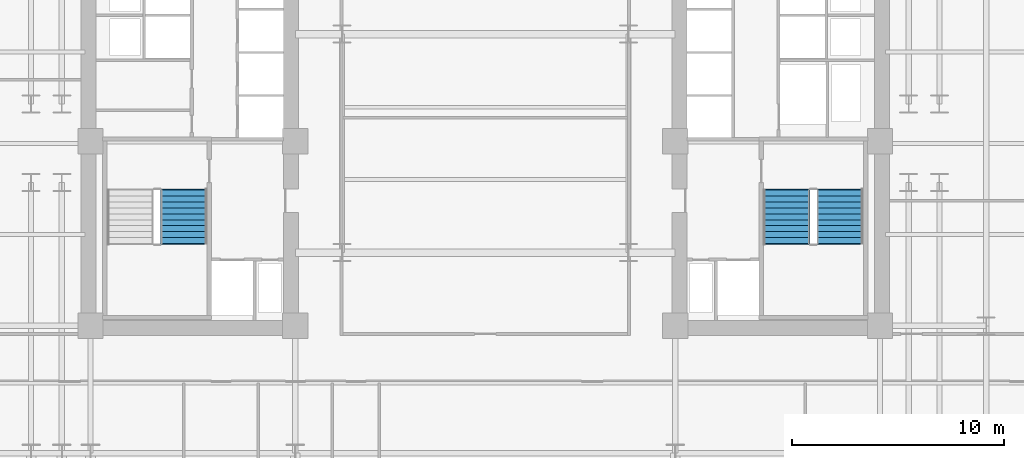
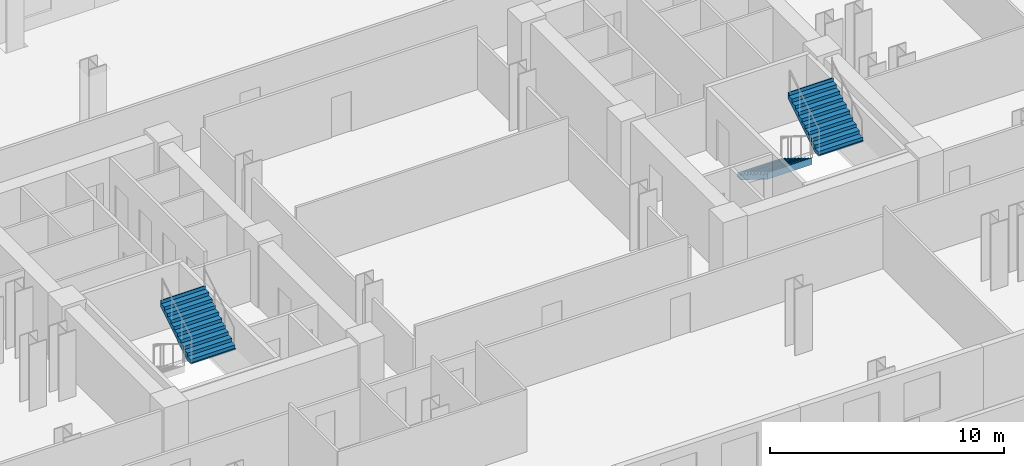
# One storey, part 8 of 10: 3 stair flights, 2 elements without a shape of their own.
"""IFC4 building model written with IfcOpenShell, lengths in metres."""

from ifc_helpers import new_model, si_unit, direction, frame, origin, place, context, subcontext, project, spatial, polyline, outline, extrude, material, layer, layer_set, type_object, element, aggregate, save


model = new_model("IFC4")

# Units and contexts
model_context = context("Model", 3, precision=1e-05, world=origin(), true_north=direction((0.0, 1.0)))
body_context = subcontext(model_context, "Body", "Model", "MODEL_VIEW")
ifc_project = project(units=[si_unit("LENGTHUNIT", "METRE"), si_unit("AREAUNIT", "SQUARE_METRE"), si_unit("VOLUMEUNIT", "CUBIC_METRE"), si_unit("PLANEANGLEUNIT", "RADIAN"), si_unit("MASSUNIT", "GRAM", prefix="KILO")], contexts=[model_context])

# Site, building, storey
site_placement = place(None, origin())
site = spatial("IfcSite", under=ifc_project, at=site_placement, CompositionType="ELEMENT")
building_placement = place(site_placement, origin())
building = spatial("IfcBuilding", under=site, at=building_placement, Name="Velakula Bourse", CompositionType="ELEMENT")
storey_placement = place(building_placement, frame((0.0, 0.0, 31.199951171875)))
storey = spatial("IfcBuildingStorey", under=building, at=storey_placement, Name="L07", CompositionType="ELEMENT", Elevation=31.199951171875)

# Stair, stair flight
ifc_material = material(Name="Concrete M45 (fck 45 MPa)", Category="concrete")
stair_type = type_object("IfcStairType", Name="STR-DOG-390", PredefinedType="HALF_TURN_STAIR", material=ifc_material)
stair_1_placement = place(storey_placement, origin())
stair_1 = element("IfcStair", 1, at=stair_1_placement, inside=storey, type_object=stair_type, Name="L07 West Core Exit Stair ST-W1", PredefinedType="HALF_TURN_STAIR")
ifc_layer = layer(ifc_material, 0.195068359375, Name="Concrete M45 (fck 45 MPa)", Category="concrete")
ifc_layer_set = layer_set([ifc_layer], Name="Concrete M45 (fck 45 MPa)")
stair_flight_type = type_object("IfcStairFlightType", Name="FLT-DOG-390", PredefinedType="STRAIGHT", material=ifc_layer_set)
stair_flight_1_placement = place(storey_placement, frame((-14.198974609375, -4.719970703125, 1.72509765625), z_axis=(0.0, 0.0, 1.0), x_axis=(0.0, 1.0, 0.0)))
stair_flight_1 = element("IfcStairFlight", 2, at=stair_flight_1_placement, type_object=stair_flight_type, Name="ST-W1 flight 2", NumberOfRisers=10, NumberOfTreads=9, PredefinedType="STRAIGHT", RiserHeight=0.1725, TreadLength=0.28, context=body_context, shape_type="SweptSolid", body=[
    extrude(outline(polyline([(-0.044921875, -0.0400390625), (-0.044921875, -0.036865234375), (-0.044921875, -0.033935546875), (-0.044921875, -0.03076171875), (-0.044921875, -0.027587890625), (-0.044921875, -0.024658203125), (-0.044921875, -0.021484375), (-0.044921875, -0.0185546875), (-0.044921875, -0.015380859375), (-0.044921875, -0.01220703125), (-0.044921875, -0.00927734375), (-0.044921875, -0.006103515625), (-0.044921875, -0.003173828125), (-0.044921875, 0.0), (0.0, 0.0), (0.0, 0.172607421875), (0.280029296875, 0.172607421875), (0.280029296875, 0.344970703125), (0.56005859375, 0.344970703125), (0.56005859375, 0.517578125), (0.840087890625, 0.517578125), (0.840087890625, 0.68994140625), (1.1201171875, 0.68994140625), (1.1201171875, 0.862548828125), (1.39990234375, 0.862548828125), (1.39990234375, 1.034912109375), (1.679931640625, 1.034912109375), (1.679931640625, 1.20751953125), (1.9599609375, 1.20751953125), (1.9599609375, 1.3798828125), (2.239990234375, 1.3798828125), (2.239990234375, 1.552490234375), (2.52001953125, 1.552490234375), (2.52001953125, 1.72509765625), (2.56494140625, 1.72509765625), (2.56494140625, 1.7001953125), (2.56494140625, 1.67529296875), (2.56494140625, 1.650390625), (2.56494140625, 1.62548828125), (2.56494140625, 1.6005859375), (2.56494140625, 1.57568359375), (2.56494140625, 1.55078125), (2.56494140625, 1.52587890625), (2.56494140625, 1.5009765625), (2.56494140625, 1.47607421875), (2.56494140625, 1.451171875), (2.56494140625, 1.42626953125), (2.56494140625, 1.4013671875), (2.56494140625, 1.37646484375), (0.285888671875, -0.0400390625), (-0.044921875, -0.0400390625)])), frame((0.0, 1.09912109375, 0.0), z_axis=(0.0, -1.0, 0.0), x_axis=(1.0, 0.0, 0.0)), (0.0, 0.0, 1.0), 2.197998046875),
])
aggregate(stair_1, [stair_flight_1])

# Stair, stair flights
stair_2_placement = place(storey_placement, origin())
stair_2 = element("IfcStair", 3, at=stair_2_placement, inside=storey, type_object=stair_type, Name="L07 East Core Exit Stair ST-E1", PredefinedType="HALF_TURN_STAIR")
stair_flight_2_placement = place(storey_placement, frame((14.198974609375, -2.199951171875, 0.0), z_axis=(0.0, 0.0, 1.0), x_axis=(0.0, -1.0, 0.0)))
stair_flight_2 = element("IfcStairFlight", 4, at=stair_flight_2_placement, type_object=stair_flight_type, Name="ST-E1 flight 1", NumberOfRisers=10, NumberOfTreads=9, PredefinedType="STRAIGHT", RiserHeight=0.1725, TreadLength=0.28, context=body_context, shape_type="SweptSolid", body=[
    extrude(outline(polyline([(-0.044921875, -0.0400390625), (-0.044921875, -0.036865234375), (-0.044921875, -0.033935546875), (-0.044921875, -0.03076171875), (-0.044921875, -0.027587890625), (-0.044921875, -0.024658203125), (-0.044921875, -0.021484375), (-0.044921875, -0.0185546875), (-0.044921875, -0.015380859375), (-0.044921875, -0.01220703125), (-0.044921875, -0.00927734375), (-0.044921875, -0.006103515625), (-0.044921875, -0.003173828125), (-0.044921875, 0.0), (0.0, 0.0), (0.0, 0.172607421875), (0.280029296875, 0.172607421875), (0.280029296875, 0.344970703125), (0.56005859375, 0.344970703125), (0.56005859375, 0.517578125), (0.840087890625, 0.517578125), (0.840087890625, 0.68994140625), (1.1201171875, 0.68994140625), (1.1201171875, 0.862548828125), (1.39990234375, 0.862548828125), (1.39990234375, 1.034912109375), (1.679931640625, 1.034912109375), (1.679931640625, 1.20751953125), (1.9599609375, 1.20751953125), (1.9599609375, 1.3798828125), (2.239990234375, 1.3798828125), (2.239990234375, 1.552490234375), (2.52001953125, 1.552490234375), (2.52001953125, 1.72509765625), (2.56494140625, 1.72509765625), (2.56494140625, 1.7001953125), (2.56494140625, 1.67529296875), (2.56494140625, 1.650390625), (2.56494140625, 1.62548828125), (2.56494140625, 1.6005859375), (2.56494140625, 1.57568359375), (2.56494140625, 1.55078125), (2.56494140625, 1.52587890625), (2.56494140625, 1.5009765625), (2.56494140625, 1.47607421875), (2.56494140625, 1.451171875), (2.56494140625, 1.42626953125), (2.56494140625, 1.4013671875), (2.56494140625, 1.37646484375), (0.285888671875, -0.0400390625), (-0.044921875, -0.0400390625)])), frame((0.0, 1.09912109375, 0.0), z_axis=(0.0, -1.0, 0.0), x_axis=(1.0, 0.0, 0.0)), (0.0, 0.0, 1.0), 2.197998046875),
])
stair_flight_3_placement = place(storey_placement, frame((16.720947265625, -4.719970703125, 1.72509765625), z_axis=(0.0, 0.0, 1.0), x_axis=(0.0, 1.0, 0.0)))
stair_flight_3 = element("IfcStairFlight", 5, at=stair_flight_3_placement, type_object=stair_flight_type, Name="ST-E1 flight 2", NumberOfRisers=10, NumberOfTreads=9, PredefinedType="STRAIGHT", RiserHeight=0.1725, TreadLength=0.28, context=body_context, shape_type="SweptSolid", body=[
    extrude(outline(polyline([(-0.044921875, -0.0400390625), (-0.044921875, -0.036865234375), (-0.044921875, -0.033935546875), (-0.044921875, -0.03076171875), (-0.044921875, -0.027587890625), (-0.044921875, -0.024658203125), (-0.044921875, -0.021484375), (-0.044921875, -0.0185546875), (-0.044921875, -0.015380859375), (-0.044921875, -0.01220703125), (-0.044921875, -0.00927734375), (-0.044921875, -0.006103515625), (-0.044921875, -0.003173828125), (-0.044921875, 0.0), (0.0, 0.0), (0.0, 0.172607421875), (0.280029296875, 0.172607421875), (0.280029296875, 0.344970703125), (0.56005859375, 0.344970703125), (0.56005859375, 0.517578125), (0.840087890625, 0.517578125), (0.840087890625, 0.68994140625), (1.1201171875, 0.68994140625), (1.1201171875, 0.862548828125), (1.39990234375, 0.862548828125), (1.39990234375, 1.034912109375), (1.679931640625, 1.034912109375), (1.679931640625, 1.20751953125), (1.9599609375, 1.20751953125), (1.9599609375, 1.3798828125), (2.239990234375, 1.3798828125), (2.239990234375, 1.552490234375), (2.52001953125, 1.552490234375), (2.52001953125, 1.72509765625), (2.56494140625, 1.72509765625), (2.56494140625, 1.7001953125), (2.56494140625, 1.67529296875), (2.56494140625, 1.650390625), (2.56494140625, 1.62548828125), (2.56494140625, 1.6005859375), (2.56494140625, 1.57568359375), (2.56494140625, 1.55078125), (2.56494140625, 1.52587890625), (2.56494140625, 1.5009765625), (2.56494140625, 1.47607421875), (2.56494140625, 1.451171875), (2.56494140625, 1.42626953125), (2.56494140625, 1.4013671875), (2.56494140625, 1.37646484375), (0.285888671875, -0.0400390625), (-0.044921875, -0.0400390625)])), frame((0.0, 1.09912109375, 0.0), z_axis=(0.0, -1.0, 0.0), x_axis=(1.0, 0.0, 0.0)), (0.0, 0.0, 1.0), 2.197998046875),
])
aggregate(stair_2, [stair_flight_2, stair_flight_3])

save(model, "model.ifc")
